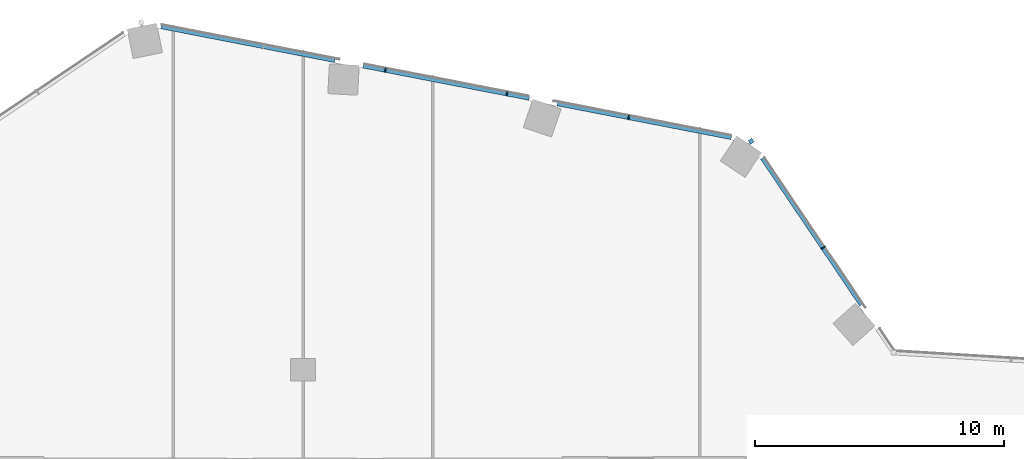
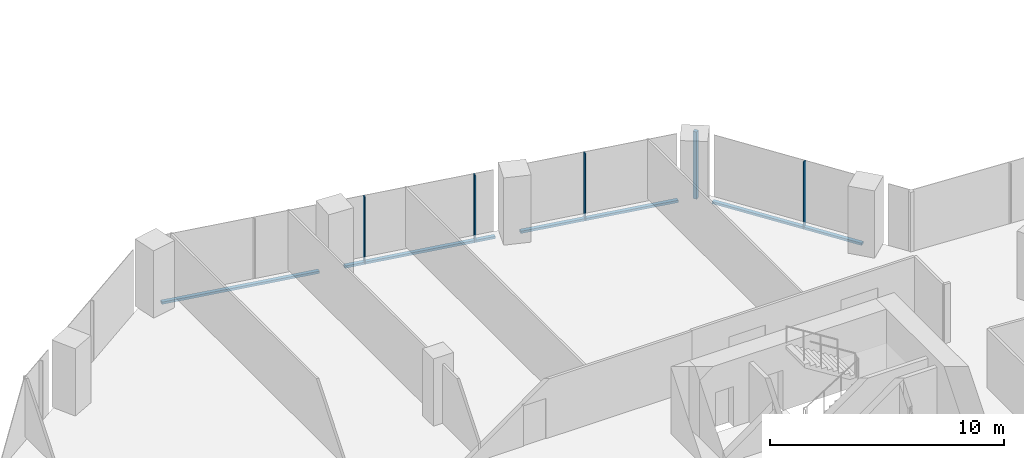
# One storey, part 13 of 32: 9 members, 2 elements without a shape of their own.
"""IFC4 building model written with IfcOpenShell, lengths in metres."""

from ifc_helpers import new_model, si_unit, direction, frame, origin, origin_2d, place, context, subcontext, project, spatial, rectangle, extrude, material, material_profile, profile_set, type_object, element, aggregate, save


model = new_model("IFC4")

# Units and contexts
model_context = context("Model", 3, precision=1e-05, world=origin(), true_north=direction((0.0, 1.0)))
body_context = subcontext(model_context, "Body", "Model", "MODEL_VIEW")
ifc_project = project(units=[si_unit("LENGTHUNIT", "METRE"), si_unit("AREAUNIT", "SQUARE_METRE"), si_unit("VOLUMEUNIT", "CUBIC_METRE"), si_unit("PLANEANGLEUNIT", "RADIAN"), si_unit("MASSUNIT", "GRAM", prefix="KILO")], contexts=[model_context])

# Site, building, storey
site_placement = place(None, origin())
site = spatial("IfcSite", under=ifc_project, at=site_placement, CompositionType="ELEMENT")
building_placement = place(site_placement, origin())
building = spatial("IfcBuilding", under=site, at=building_placement, Name="Orlundy Tower", CompositionType="ELEMENT")
storey_placement = place(building_placement, frame((0.0, 0.0, 149.10009765625)))
storey = spatial("IfcBuildingStorey", under=building, at=storey_placement, Name="L38", CompositionType="ELEMENT", Elevation=149.10009765625)

# Curtain wall, member
ifc_material_1 = material(Name="Aluminium bronze anodised", Category="aluminium")
curtain_wall_type = type_object("IfcCurtainWallType", Name="CW1 wall", PredefinedType="NOTDEFINED", material=ifc_material_1)
curtain_wall_1_placement = place(storey_placement, origin())
curtain_wall_1 = element("IfcCurtainWall", 1, at=curtain_wall_1_placement, inside=storey, type_object=curtain_wall_type, Name="CW1 run 017", PredefinedType="NOTDEFINED")
ifc_material_2 = material(Name="Aluminium bronze anodised", Category="aluminium")
ifc_material_profile_1 = material_profile(ifc_material_2, rectangle(XDim=0.179931640625, YDim=0.179931640625, at=origin_2d()), Name="CW1 corner post 180x180")
ifc_profile_set_1 = profile_set([ifc_material_profile_1], Name="Aluminium bronze anodised")
member_type_1 = type_object("IfcMemberType", Name="CW1 corner post 180x180", PredefinedType="MULLION", material=ifc_profile_set_1)
member_1_placement = place(storey_placement, frame((17.975830078125, 27.1591796875, -0.400146484375), z_axis=(0.0, 0.0, 1.0), x_axis=(0.829017365471, 0.559222860538, 0.0)))
member_1 = element("IfcMember", 2, at=member_1_placement, type_object=member_type_1, Name="CW1 mullion 49", PredefinedType="MULLION", context=body_context, shape_type="SweptSolid", body=[
    extrude(rectangle(XDim=0.179931640625, YDim=0.179931640625, at=origin_2d()), origin(), (0.0, 0.0, 1.0), 3.5),
])

# Curtain wall, members
curtain_wall_2_placement = place(storey_placement, origin())
curtain_wall_2 = element("IfcCurtainWall", 3, at=curtain_wall_2_placement, inside=storey, type_object=curtain_wall_type, Name="CW1 run 016", PredefinedType="NOTDEFINED")
ifc_material_3 = material(Name="Aluminium bronze anodised", Category="aluminium")
ifc_material_profile_2 = material_profile(ifc_material_3, rectangle(XDim=0.179931640625, YDim=0.050048828125, at=origin_2d()), Name="CW1 mullion 50x180")
ifc_profile_set_2 = profile_set([ifc_material_profile_2], Name="Aluminium bronze anodised")
member_type_2 = type_object("IfcMemberType", Name="CW1 mullion 50x180", PredefinedType="MULLION", material=ifc_profile_set_2)
member_2_placement = place(storey_placement, frame((3.301513671875, 30.011474609375, -0.400146484375), z_axis=(0.0, 0.0, 1.0), x_axis=(0.19080503976, 0.981627952333, 0.0)))
member_2 = element("IfcMember", 4, at=member_2_placement, type_object=member_type_2, Name="CW1 mullion 46", PredefinedType="MULLION", context=body_context, shape_type="SweptSolid", body=[
    extrude(rectangle(XDim=0.179931640625, YDim=0.050048828125, at=origin_2d()), origin(), (0.0, 0.0, 1.0), 3.5),
])
member_3_placement = place(storey_placement, frame((8.1806640625, 29.063232421875, -0.400146484375), z_axis=(0.0, 0.0, 1.0), x_axis=(0.19080503976, 0.981627952333, 0.0)))
member_3 = element("IfcMember", 5, at=member_3_placement, type_object=member_type_2, Name="CW1 mullion 47", PredefinedType="MULLION", context=body_context, shape_type="SweptSolid", body=[
    extrude(rectangle(XDim=0.179931640625, YDim=0.050048828125, at=origin_2d()), origin(), (0.0, 0.0, 1.0), 3.5),
])
member_4_placement = place(storey_placement, frame((13.06005859375, 28.11474609375, -0.400146484375), z_axis=(0.0, 0.0, 1.0), x_axis=(0.19080503976, 0.981627952333, 0.0)))
member_4 = element("IfcMember", 6, at=member_4_placement, type_object=member_type_2, Name="CW1 mullion 48", PredefinedType="MULLION", context=body_context, shape_type="SweptSolid", body=[
    extrude(rectangle(XDim=0.179931640625, YDim=0.050048828125, at=origin_2d()), origin(), (0.0, 0.0, 1.0), 3.5),
])

# Member
member_5_placement = place(storey_placement, frame((20.859130859375, 22.884765625, -0.400146484375), z_axis=(0.0, 0.0, 1.0), x_axis=(0.829017365471, 0.559222860538, 0.0)))
member_5 = element("IfcMember", 7, at=member_5_placement, type_object=member_type_2, Name="CW1 mullion 50", PredefinedType="MULLION", context=body_context, shape_type="SweptSolid", body=[
    extrude(rectangle(XDim=0.179931640625, YDim=0.050048828125, at=origin_2d()), origin(), (0.0, 0.0, 1.0), 3.5),
])

ifc_material_4 = material(Name="Aluminium bronze anodised", Category="aluminium")
ifc_material_profile_3 = material_profile(ifc_material_4, rectangle(XDim=0.179931640625, YDim=0.1201171875, at=origin_2d()), Name="CW1 transom 180x120")
ifc_profile_set_3 = profile_set([ifc_material_profile_3], Name="Aluminium bronze anodised")
member_type_3 = type_object("IfcMemberType", Name="CW1 transom 180x120", PredefinedType="USERDEFINED", material=ifc_profile_set_3)
member_6_placement = place(storey_placement, frame((-5.696044921875, 31.760498046875, -0.340087890625), z_axis=(0.981625574839, -0.190817270766, 0.0), x_axis=(0.190817270766, 0.981625574839, 0.0)))
member_6 = element("IfcMember", 8, at=member_6_placement, type_object=member_type_3, Name="CW1 transom", ObjectType="TRANSOM", PredefinedType="USERDEFINED", context=body_context, shape_type="SweptSolid", body=[
    extrude(rectangle(XDim=0.179931640625, YDim=0.1201171875, at=origin_2d()), origin(), (0.0, 0.0, 1.0), 7.10986328125),
])

member_7_placement = place(storey_placement, frame((2.406494140625, 30.185546875, -0.340087890625), z_axis=(0.981629038684, -0.190799450764, 0.0), x_axis=(0.190799450764, 0.981629038684, 0.0)))
member_7 = element("IfcMember", 9, at=member_7_placement, type_object=member_type_3, Name="CW1 transom", ObjectType="TRANSOM", PredefinedType="USERDEFINED", context=body_context, shape_type="SweptSolid", body=[
    extrude(rectangle(XDim=0.179931640625, YDim=0.1201171875, at=origin_2d()), origin(), (0.0, 0.0, 1.0), 6.79443359375),
])

member_8_placement = place(storey_placement, frame((10.19921875, 28.6708984375, -0.340087890625), z_axis=(0.981624144272, -0.190824629914, 0.0), x_axis=(0.190824629914, 0.981624144272, 0.0)))
member_8 = element("IfcMember", 10, at=member_8_placement, type_object=member_type_3, Name="CW1 transom", ObjectType="TRANSOM", PredefinedType="USERDEFINED", context=body_context, shape_type="SweptSolid", body=[
    extrude(rectangle(XDim=0.179931640625, YDim=0.1201171875, at=origin_2d()), origin(), (0.0, 0.0, 1.0), 7.11083984375),
])

aggregate(curtain_wall_2, [member_2, member_3, member_4, member_6, member_7, member_8])

member_9_placement = place(storey_placement, frame((18.43017578125, 26.485595703125, -0.340087890625), z_axis=(0.559228465587, -0.829013584495, 0.0), x_axis=(0.829013584495, 0.559228465587, 0.0)))
member_9 = element("IfcMember", 11, at=member_9_placement, type_object=member_type_3, Name="CW1 transom", ObjectType="TRANSOM", PredefinedType="USERDEFINED", context=body_context, shape_type="SweptSolid", body=[
    extrude(rectangle(XDim=0.179931640625, YDim=0.1201171875, at=origin_2d()), origin(), (0.0, 0.0, 1.0), 7.103759765625),
])

aggregate(curtain_wall_1, [member_1, member_5, member_9])

save(model, "model.ifc")
